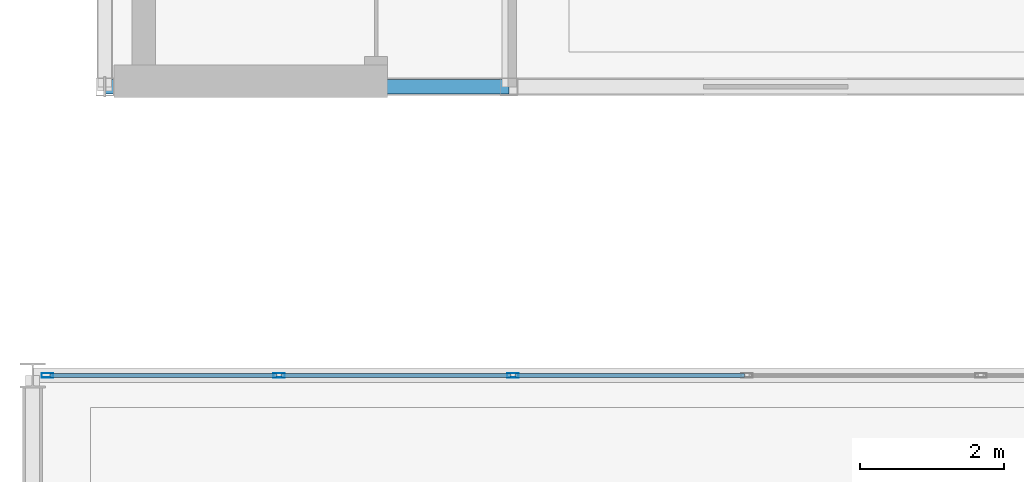
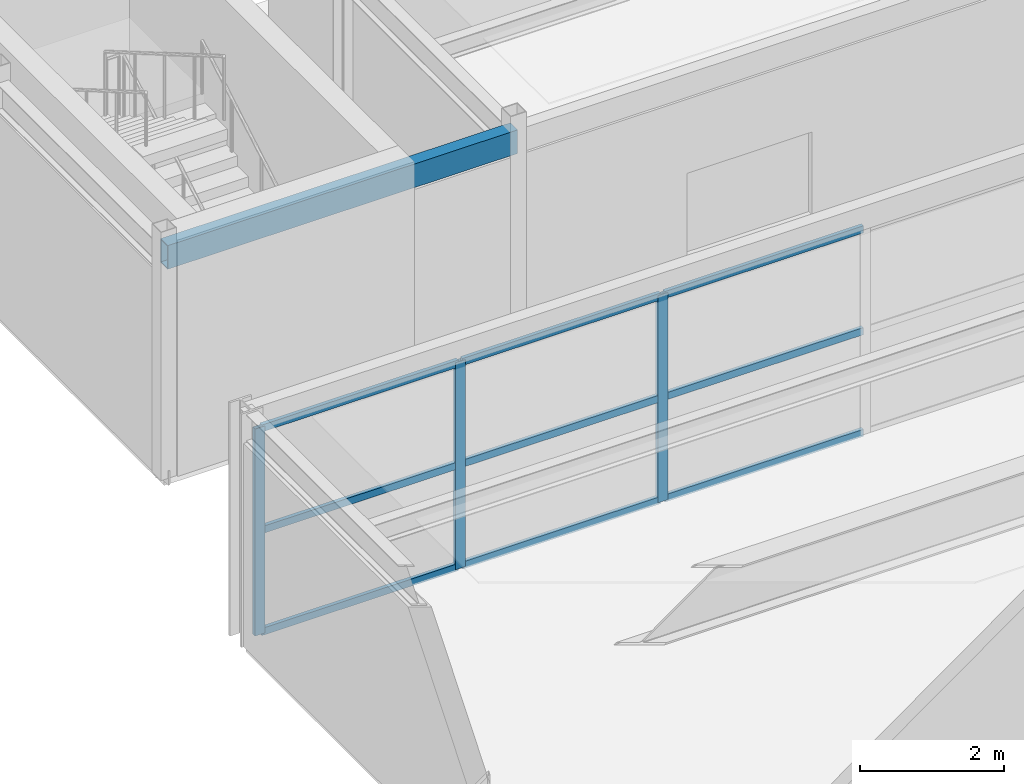
# One storey, part 19 of 147: 12 members, 1 beam, 1 element without a shape of its own.
"""IFC4 building model written with IfcOpenShell, lengths in metres."""

from ifc_helpers import new_model, si_unit, direction, frame, origin, origin_2d, place, context, subcontext, project, spatial, hollow_rectangle, extrude, material, material_profile, profile_set, type_object, element, aggregate, save


model = new_model("IFC4")

# Units and contexts
model_context = context("Model", 3, precision=1e-05, world=origin(), true_north=direction((0.0, 1.0)))
body_context = subcontext(model_context, "Body", "Model", "MODEL_VIEW")
ifc_project = project(units=[si_unit("LENGTHUNIT", "METRE"), si_unit("AREAUNIT", "SQUARE_METRE"), si_unit("VOLUMEUNIT", "CUBIC_METRE"), si_unit("PLANEANGLEUNIT", "RADIAN"), si_unit("MASSUNIT", "GRAM", prefix="KILO")], contexts=[model_context])

# Site, building, storey
site_placement = place(None, origin())
site = spatial("IfcSite", under=ifc_project, at=site_placement, CompositionType="ELEMENT")
building_placement = place(site_placement, origin())
building = spatial("IfcBuilding", under=site, at=building_placement, Name="Karori Crest Natural Sciences Institute", CompositionType="ELEMENT")
storey_placement = place(building_placement, frame((0.0, 0.0, 9.10009765625)))
storey = spatial("IfcBuildingStorey", under=building, at=storey_placement, Name="L02", CompositionType="ELEMENT", Elevation=9.10009765625)

# Beam
ifc_material_1 = material(Name="Hollow structural steel AS/NZS 1163 Grade C350", Category="steel")
ifc_material_profile_1 = material_profile(ifc_material_1, hollow_rectangle(XDim=0.199951171875, YDim=0.39990234375, WallThickness=0.012451171875, at=origin_2d()), Name="RHS400x200x12.5")
ifc_profile_set_1 = profile_set([ifc_material_profile_1], Name="Hollow structural steel AS/NZS 1163 Grade C350")
beam_type = type_object("IfcBeamType", Name="BT-14", PredefinedType="SPANDREL", material=ifc_profile_set_1)
beam_placement = place(storey_placement, frame((1.800048828125, 31.199951171875, 3.719970703125), z_axis=(1.0, 0.0, 0.0), x_axis=(0.0, 1.0, 0.0)))
element("IfcBeam", 1, at=beam_placement, inside=storey, type_object=beam_type, Name="Beam B-1076", PredefinedType="SPANDREL", context=body_context, shape_type="SweptSolid", body=[
    extrude(hollow_rectangle(XDim=0.199951171875, YDim=0.39990234375, WallThickness=0.012451171875, at=origin_2d()), origin(), (0.0, 0.0, 1.0), 5.599853515625),
])

# Curtain wall, members
ifc_material_2 = material(Name="Anodised architectural aluminium 6063-T6", Category="aluminium")
curtain_wall_type = type_object("IfcCurtainWallType", Name="CWT-16", PredefinedType="NOTDEFINED", material=ifc_material_2)
curtain_wall_placement = place(storey_placement, origin())
curtain_wall = element("IfcCurtainWall", 2, at=curtain_wall_placement, inside=storey, type_object=curtain_wall_type, Name="Curtain wall CW-0253", PredefinedType="NOTDEFINED")
ifc_material_profile_2 = material_profile(ifc_material_2, hollow_rectangle(XDim=0.06494140625, YDim=0.159912109375, WallThickness=0.00390625, at=origin_2d()), Name="CWM160x65x4")
ifc_profile_set_2 = profile_set([ifc_material_profile_2], Name="Anodised architectural aluminium 6063-T6")
member_type_1 = type_object("IfcMemberType", Name="CWM-01", PredefinedType="MULLION", material=ifc_profile_set_2)
member_1_placement = place(storey_placement, frame((1.005615234375, 27.199951171875, 0.0), z_axis=(0.0, 0.0, 1.0), x_axis=(0.0, 1.0, 0.0)))
member_1 = element("IfcMember", 3, at=member_1_placement, type_object=member_type_1, Name="CW-0253 mullion 1", PredefinedType="MULLION", context=body_context, shape_type="SweptSolid", body=[
    extrude(hollow_rectangle(XDim=0.06494140625, YDim=0.159912109375, WallThickness=0.00390625, at=origin_2d()), origin(), (0.0, 0.0, 1.0), 3.5048828125),
])
member_2_placement = place(storey_placement, frame((4.21533203125, 27.199951171875, 0.0), z_axis=(0.0, 0.0, 1.0), x_axis=(0.0, 1.0, 0.0)))
member_2 = element("IfcMember", 4, at=member_2_placement, type_object=member_type_1, Name="CW-0253 mullion 2", PredefinedType="MULLION", context=body_context, shape_type="SweptSolid", body=[
    extrude(hollow_rectangle(XDim=0.06494140625, YDim=0.159912109375, WallThickness=0.00390625, at=origin_2d()), origin(), (0.0, 0.0, 1.0), 3.5048828125),
])
member_3_placement = place(storey_placement, frame((7.457763671875, 27.199951171875, 0.0), z_axis=(0.0, 0.0, 1.0), x_axis=(0.0, 1.0, 0.0)))
member_3 = element("IfcMember", 5, at=member_3_placement, type_object=member_type_1, Name="CW-0253 mullion 3", PredefinedType="MULLION", context=body_context, shape_type="SweptSolid", body=[
    extrude(hollow_rectangle(XDim=0.06494140625, YDim=0.159912109375, WallThickness=0.00390625, at=origin_2d()), origin(), (0.0, 0.0, 1.0), 3.5048828125),
])
ifc_material_profile_3 = material_profile(ifc_material_2, hollow_rectangle(XDim=0.06005859375, YDim=0.1201171875, WallThickness=0.00390625, at=origin_2d()), Name="CWT120x60x4")
ifc_profile_set_3 = profile_set([ifc_material_profile_3], Name="Anodised architectural aluminium 6063-T6")
member_type_2 = type_object("IfcMemberType", Name="CWT-TR1", PredefinedType="USERDEFINED", material=ifc_profile_set_3)
member_4_placement = place(storey_placement, frame((1.0380859375, 27.199951171875, 0.02978515625), z_axis=(1.0, 0.0, 0.0), x_axis=(0.0, 1.0, 0.0)))
member_4 = element("IfcMember", 6, at=member_4_placement, type_object=member_type_2, Name="CW-0253 transom 1.1", ObjectType="TRANSOM", PredefinedType="USERDEFINED", context=body_context, shape_type="SweptSolid", body=[
    extrude(hollow_rectangle(XDim=0.06005859375, YDim=0.1201171875, WallThickness=0.00390625, at=origin_2d()), origin(), (0.0, 0.0, 1.0), 3.144775390625),
])
member_5_placement = place(storey_placement, frame((1.0380859375, 27.199951171875, 1.75244140625), z_axis=(1.0, 0.0, 0.0), x_axis=(0.0, 1.0, 0.0)))
member_5 = element("IfcMember", 7, at=member_5_placement, type_object=member_type_2, Name="CW-0253 transom 1.2", ObjectType="TRANSOM", PredefinedType="USERDEFINED", context=body_context, shape_type="SweptSolid", body=[
    extrude(hollow_rectangle(XDim=0.06005859375, YDim=0.1201171875, WallThickness=0.00390625, at=origin_2d()), origin(), (0.0, 0.0, 1.0), 3.144775390625),
])
member_6_placement = place(storey_placement, frame((1.0380859375, 27.199951171875, 3.474853515625), z_axis=(1.0, 0.0, 0.0), x_axis=(0.0, 1.0, 0.0)))
member_6 = element("IfcMember", 8, at=member_6_placement, type_object=member_type_2, Name="CW-0253 transom 1.3", ObjectType="TRANSOM", PredefinedType="USERDEFINED", context=body_context, shape_type="SweptSolid", body=[
    extrude(hollow_rectangle(XDim=0.06005859375, YDim=0.1201171875, WallThickness=0.00390625, at=origin_2d()), origin(), (0.0, 0.0, 1.0), 3.144775390625),
])
member_7_placement = place(storey_placement, frame((4.247802734375, 27.199951171875, 0.02978515625), z_axis=(1.0, 0.0, 0.0), x_axis=(0.0, 1.0, 0.0)))
member_7 = element("IfcMember", 9, at=member_7_placement, type_object=member_type_2, Name="CW-0253 transom 2.1", ObjectType="TRANSOM", PredefinedType="USERDEFINED", context=body_context, shape_type="SweptSolid", body=[
    extrude(hollow_rectangle(XDim=0.06005859375, YDim=0.1201171875, WallThickness=0.00390625, at=origin_2d()), origin(), (0.0, 0.0, 1.0), 3.17724609375),
])
member_8_placement = place(storey_placement, frame((4.247802734375, 27.199951171875, 1.75244140625), z_axis=(1.0, 0.0, 0.0), x_axis=(0.0, 1.0, 0.0)))
member_8 = element("IfcMember", 10, at=member_8_placement, type_object=member_type_2, Name="CW-0253 transom 2.2", ObjectType="TRANSOM", PredefinedType="USERDEFINED", context=body_context, shape_type="SweptSolid", body=[
    extrude(hollow_rectangle(XDim=0.06005859375, YDim=0.1201171875, WallThickness=0.00390625, at=origin_2d()), origin(), (0.0, 0.0, 1.0), 3.17724609375),
])
member_9_placement = place(storey_placement, frame((4.247802734375, 27.199951171875, 3.474853515625), z_axis=(1.0, 0.0, 0.0), x_axis=(0.0, 1.0, 0.0)))
member_9 = element("IfcMember", 11, at=member_9_placement, type_object=member_type_2, Name="CW-0253 transom 2.3", ObjectType="TRANSOM", PredefinedType="USERDEFINED", context=body_context, shape_type="SweptSolid", body=[
    extrude(hollow_rectangle(XDim=0.06005859375, YDim=0.1201171875, WallThickness=0.00390625, at=origin_2d()), origin(), (0.0, 0.0, 1.0), 3.17724609375),
])
member_10_placement = place(storey_placement, frame((7.490234375, 27.199951171875, 0.02978515625), z_axis=(1.0, 0.0, 0.0), x_axis=(0.0, 1.0, 0.0)))
member_10 = element("IfcMember", 12, at=member_10_placement, type_object=member_type_2, Name="CW-0253 transom 3.1", ObjectType="TRANSOM", PredefinedType="USERDEFINED", context=body_context, shape_type="SweptSolid", body=[
    extrude(hollow_rectangle(XDim=0.06005859375, YDim=0.1201171875, WallThickness=0.00390625, at=origin_2d()), origin(), (0.0, 0.0, 1.0), 3.17724609375),
])
member_11_placement = place(storey_placement, frame((7.490234375, 27.199951171875, 1.75244140625), z_axis=(1.0, 0.0, 0.0), x_axis=(0.0, 1.0, 0.0)))
member_11 = element("IfcMember", 13, at=member_11_placement, type_object=member_type_2, Name="CW-0253 transom 3.2", ObjectType="TRANSOM", PredefinedType="USERDEFINED", context=body_context, shape_type="SweptSolid", body=[
    extrude(hollow_rectangle(XDim=0.06005859375, YDim=0.1201171875, WallThickness=0.00390625, at=origin_2d()), origin(), (0.0, 0.0, 1.0), 3.17724609375),
])
member_12_placement = place(storey_placement, frame((7.490234375, 27.199951171875, 3.474853515625), z_axis=(1.0, 0.0, 0.0), x_axis=(0.0, 1.0, 0.0)))
member_12 = element("IfcMember", 14, at=member_12_placement, type_object=member_type_2, Name="CW-0253 transom 3.3", ObjectType="TRANSOM", PredefinedType="USERDEFINED", context=body_context, shape_type="SweptSolid", body=[
    extrude(hollow_rectangle(XDim=0.06005859375, YDim=0.1201171875, WallThickness=0.00390625, at=origin_2d()), origin(), (0.0, 0.0, 1.0), 3.17724609375),
])
aggregate(curtain_wall, [member_1, member_2, member_3, member_4, member_5, member_6, member_7, member_8, member_9, member_10, member_11, member_12])

save(model, "model.ifc")
